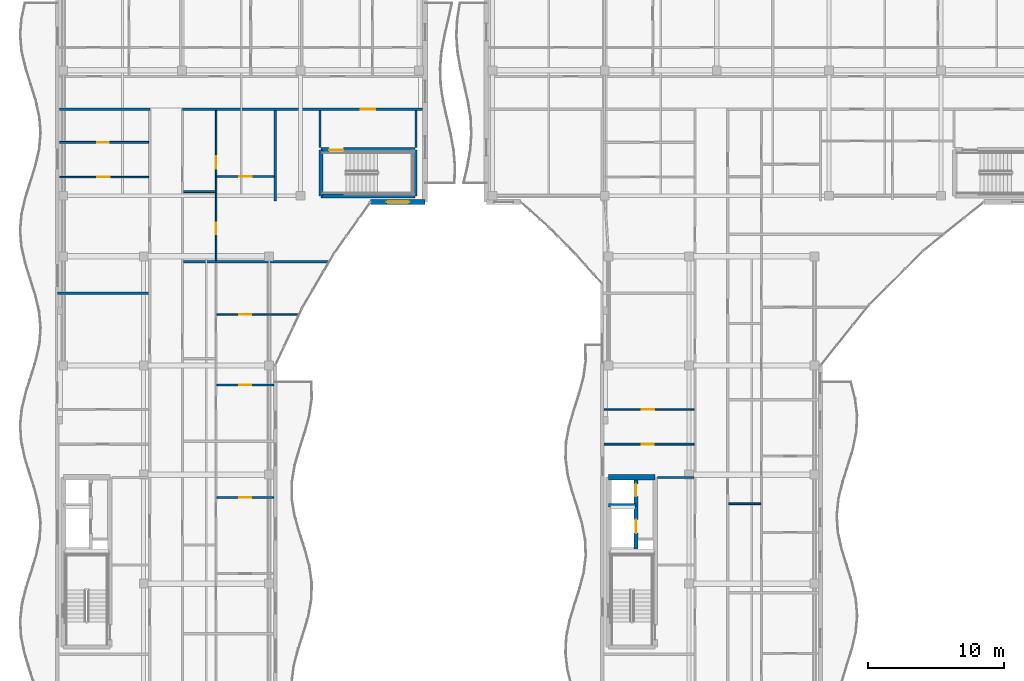
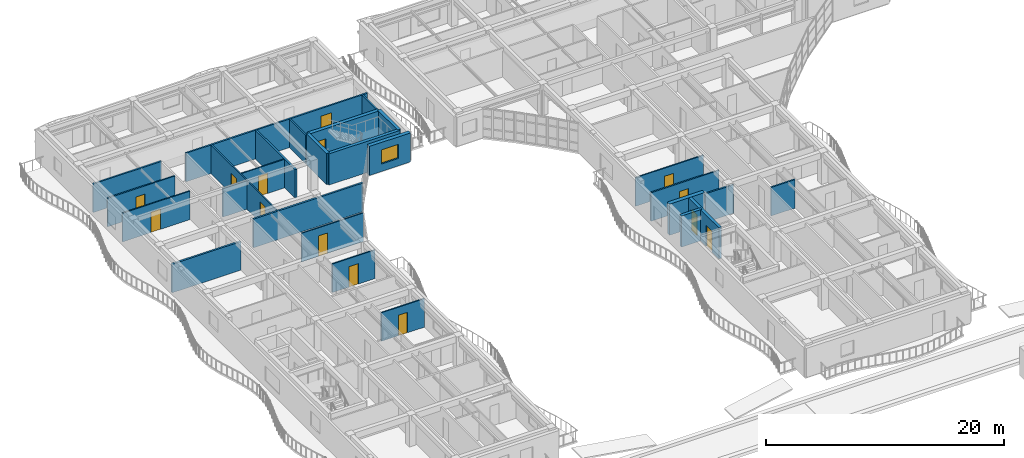
# One storey, part 87 of 128: 27 walls, 14 doors, 1 window, 15 openings.
"""IFC4 building model written with IfcOpenShell, lengths in metres."""

from ifc_helpers import new_model, si_unit, direction, frame, frame_2d, origin, place, context, subcontext, project, spatial, rectangle, extrude, material, layer, layer_set, type_object, element, fill, save


model = new_model("IFC4")

# Units and contexts
model_context = context("Model", 3, precision=1e-05, world=origin(), true_north=direction((0.0, 1.0)))
body_context = subcontext(model_context, "Body", "Model", "MODEL_VIEW")
ifc_project = project(units=[si_unit("LENGTHUNIT", "METRE"), si_unit("AREAUNIT", "SQUARE_METRE"), si_unit("VOLUMEUNIT", "CUBIC_METRE"), si_unit("PLANEANGLEUNIT", "RADIAN"), si_unit("MASSUNIT", "GRAM", prefix="KILO")], contexts=[model_context])

# Site, building, storey
site_placement = place(None, origin())
site = spatial("IfcSite", under=ifc_project, at=site_placement, CompositionType="ELEMENT")
building_placement = place(site_placement, origin())
building = spatial("IfcBuilding", under=site, at=building_placement, Name="Keldmere Railside Commons", CompositionType="ELEMENT")
storey_placement = place(building_placement, frame((0.0, 0.0, 4.159912109375)))
storey = spatial("IfcBuildingStorey", under=building, at=storey_placement, Name="L01", CompositionType="ELEMENT", Elevation=4.159912109375)

# Walls
ifc_material_1 = material(Name="Acoustic Gypsum Board Partition", Category="gypsum")
ifc_layer_1 = layer(ifc_material_1, 0.179931640625, Name="Acoustic Demising Partition 180")
ifc_layer_set_1 = layer_set([ifc_layer_1], Name="Acoustic Gypsum Board Partition")
wall_type_1 = type_object("IfcWallType", Name="Acoustic Demising Partition 180", PredefinedType="PARTITIONING", material=ifc_layer_set_1)
wall_1_placement = place(storey_placement, frame((24.0, 100.050048828125, 0.0), z_axis=(0.0, 0.0, 1.0), x_axis=(0.0, 1.0, 0.0)))
element("IfcWall", 1, at=wall_1_placement, inside=storey, type_object=wall_type_1, Name="IW-1 IW-L01-0207", PredefinedType="PARTITIONING", context=body_context, shape_type="SweptSolid", body=[
    extrude(rectangle(XDim=6.669921875, YDim=0.179931640625, at=frame_2d((3.3349609375, 0.0))), origin(), (0.0, 0.0, 1.0), 2.93505859375),
])
wall_2_placement = place(storey_placement, frame((17.280029296875, 95.60009765625, 0.0), z_axis=(0.0, 0.0, 1.0), x_axis=(1.0, 0.0, 0.0)))
element("IfcWall", 2, at=wall_2_placement, inside=storey, type_object=wall_type_1, Name="IW-1 IW-L01-0212", PredefinedType="PARTITIONING", context=body_context, shape_type="SweptSolid", body=[
    extrude(rectangle(XDim=10.62744140625, YDim=0.179931640625, at=frame_2d((5.313720703125, 0.0))), origin(), (0.0, 0.0, 1.0), 2.93505859375),
])
wall_3_placement = place(storey_placement, frame((8.0400390625, 93.300048828125, 0.0), z_axis=(0.0, 0.0, 1.0), x_axis=(1.0, 0.0, 0.0)))
element("IfcWall", 3, at=wall_3_placement, inside=storey, type_object=wall_type_1, Name="IW-1 IW-L01-0238", PredefinedType="PARTITIONING", context=body_context, shape_type="SweptSolid", body=[
    extrude(rectangle(XDim=6.679931640625, YDim=0.179931640625, at=frame_2d((3.33984375, 0.0))), origin(), (0.0, 0.0, 1.0), 2.93505859375),
])

# Wall, opening, door
ifc_layer_2 = layer(ifc_material_1, 0.1201171875, Name="Apartment Interior Partition 120")
ifc_layer_set_2 = layer_set([ifc_layer_2], Name="Acoustic Gypsum Board Partition")
wall_type_2 = type_object("IfcWallType", Name="Apartment Interior Partition 120", PredefinedType="PARTITIONING", material=ifc_layer_set_2)
wall_4_placement = place(storey_placement, frame((19.719970703125, 78.320068359375, 0.0), z_axis=(0.0, 0.0, 1.0), x_axis=(1.0, 0.0, 0.0)))
wall_4 = element("IfcWall", 4, at=wall_4_placement, inside=storey, type_object=wall_type_2, Name="IW-4 IW-L01-0219", PredefinedType="PARTITIONING", context=body_context, shape_type="SweptSolid", body=[
    extrude(rectangle(XDim=4.159912109375, YDim=0.1201171875, at=frame_2d((2.080078125, 0.0))), origin(), (0.0, 0.0, 1.0), 2.93505859375),
])
opening_1_placement = place(wall_4_placement, frame((1.639892578125, 0.0, 0.0)))
opening_1 = element("IfcOpeningElement", 5, at=opening_1_placement, cuts=wall_4, Name="Opening ID-02", PredefinedType="OPENING", context=body_context, shape_type="SweptSolid", body=[
    extrude(rectangle(XDim=0.8798828125, YDim=2.10009765625, at=frame_2d((0.43994140625, 1.050048828125))), frame((0.0, 0.070068359375, 0.0), z_axis=(0.0, -1.0, 0.0), x_axis=(1.0, 0.0, 0.0)), (0.0, 0.0, 1.0), 0.14013671875),
])
ifc_material_2 = material(Name="Engineered Oak Timber", Category="wood")
door_type_1 = type_object("IfcDoorType", Name="Secondary Bedroom Door 880x2100", OperationType="NOTDEFINED", PredefinedType="DOOR", material=ifc_material_2)
door_1_placement = place(opening_1_placement, origin())
door_1 = element("IfcDoor", 6, at=door_1_placement, inside=storey, type_object=door_type_1, Name="ID-02 IDR-L01-0125", OperationType="SINGLE_SWING_LEFT", OverallHeight=2.10009765625, OverallWidth=0.8798828125, PredefinedType="DOOR", context=body_context, shape_type="SweptSolid", body=[
    extrude(rectangle(XDim=0.8798828125, YDim=2.10009765625, at=frame_2d((0.43994140625, 1.050048828125))), frame((0.0, 0.02490234375, 0.0), z_axis=(0.0, -1.0, 0.0), x_axis=(1.0, 0.0, 0.0)), (0.0, 0.0, 1.0), 0.050048828125),
])
fill(opening_1, door_1)

wall_5_placement = place(storey_placement, frame((19.719970703125, 86.570068359375, 0.0), z_axis=(0.0, 0.0, 1.0), x_axis=(1.0, 0.0, 0.0)))
wall_5 = element("IfcWall", 7, at=wall_5_placement, inside=storey, type_object=wall_type_2, Name="IW-4 IW-L01-0222", PredefinedType="PARTITIONING", context=body_context, shape_type="SweptSolid", body=[
    extrude(rectangle(XDim=4.159912109375, YDim=0.1201171875, at=frame_2d((2.080078125, 0.0))), origin(), (0.0, 0.0, 1.0), 2.93505859375),
])
opening_2_placement = place(wall_5_placement, frame((1.6298828125, 0.0, 0.0)))
opening_2 = element("IfcOpeningElement", 8, at=opening_2_placement, cuts=wall_5, Name="Opening ID-01", PredefinedType="OPENING", context=body_context, shape_type="SweptSolid", body=[
    extrude(rectangle(XDim=0.89990234375, YDim=2.10009765625, at=frame_2d((0.449951171875, 1.050048828125))), frame((0.0, 0.070068359375, 0.0), z_axis=(0.0, -1.0, 0.0), x_axis=(1.0, 0.0, 0.0)), (0.0, 0.0, 1.0), 0.14013671875),
])
door_type_2 = type_object("IfcDoorType", Name="Primary Bedroom Door 900x2100", OperationType="NOTDEFINED", PredefinedType="DOOR", material=ifc_material_2)
door_2_placement = place(opening_2_placement, origin())
door_2 = element("IfcDoor", 9, at=door_2_placement, inside=storey, type_object=door_type_2, Name="ID-01 IDR-L01-0129", OperationType="SINGLE_SWING_LEFT", OverallHeight=2.10009765625, OverallWidth=0.89990234375, PredefinedType="DOOR", context=body_context, shape_type="SweptSolid", body=[
    extrude(rectangle(XDim=0.89990234375, YDim=2.10009765625, at=frame_2d((0.449951171875, 1.050048828125))), frame((0.0, 0.02490234375, 0.0), z_axis=(0.0, -1.0, 0.0), x_axis=(1.0, 0.0, 0.0)), (0.0, 0.0, 1.0), 0.050048828125),
])
fill(opening_2, door_2)

wall_6_placement = place(storey_placement, frame((19.719970703125, 91.75, 0.0), z_axis=(0.0, 0.0, 1.0), x_axis=(1.0, 0.0, 0.0)))
wall_6 = element("IfcWall", 10, at=wall_6_placement, inside=storey, type_object=wall_type_2, Name="IW-4 IW-L01-0223", PredefinedType="PARTITIONING", context=body_context, shape_type="SweptSolid", body=[
    extrude(rectangle(XDim=5.995361328125, YDim=0.1201171875, at=frame_2d((2.99755859375, 0.0))), origin(), (0.0, 0.0, 1.0), 2.93505859375),
])
opening_3_placement = place(wall_6_placement, frame((1.639892578125, 0.0, 0.0)))
opening_3 = element("IfcOpeningElement", 11, at=opening_3_placement, cuts=wall_6, Name="Opening ID-02", PredefinedType="OPENING", context=body_context, shape_type="SweptSolid", body=[
    extrude(rectangle(XDim=0.8798828125, YDim=2.10009765625, at=frame_2d((0.43994140625, 1.050048828125))), frame((0.0, 0.070068359375, 0.0), z_axis=(0.0, -1.0, 0.0), x_axis=(1.0, 0.0, 0.0)), (0.0, 0.0, 1.0), 0.14013671875),
])
door_3_placement = place(opening_3_placement, origin())
door_3 = element("IfcDoor", 12, at=door_3_placement, inside=storey, type_object=door_type_1, Name="ID-02 IDR-L01-0130", OperationType="SINGLE_SWING_RIGHT", OverallHeight=2.10009765625, OverallWidth=0.8798828125, PredefinedType="DOOR", context=body_context, shape_type="SweptSolid", body=[
    extrude(rectangle(XDim=0.8798828125, YDim=2.10009765625, at=frame_2d((0.43994140625, 1.050048828125))), frame((0.0, 0.02490234375, 0.0), z_axis=(0.0, -1.0, 0.0), x_axis=(1.0, 0.0, 0.0)), (0.0, 0.0, 1.0), 0.050048828125),
])
fill(opening_3, door_3)

# Wall, openings, doors
wall_7_placement = place(storey_placement, frame((19.659912109375, 95.68994140625, 0.0), z_axis=(0.0, 0.0, 1.0), x_axis=(0.0, 1.0, 0.0)))
wall_7 = element("IfcWall", 13, at=wall_7_placement, inside=storey, type_object=wall_type_2, Name="IW-4 IW-L01-0224", PredefinedType="PARTITIONING", context=body_context, shape_type="SweptSolid", body=[
    extrude(rectangle(XDim=11.030029296875, YDim=0.1201171875, at=frame_2d((5.51513671875, 0.0))), origin(), (0.0, 0.0, 1.0), 2.93505859375),
])
opening_4_placement = place(wall_7_placement, frame((1.926513671875, 0.0, 0.0)))
opening_4 = element("IfcOpeningElement", 14, at=opening_4_placement, cuts=wall_7, Name="Opening ID-04", PredefinedType="OPENING", context=body_context, shape_type="SweptSolid", body=[
    extrude(rectangle(XDim=0.860107421875, YDim=2.10009765625, at=frame_2d((0.43017578125, 1.050048828125))), frame((0.0, 0.070068359375, 0.0), z_axis=(0.0, -1.0, 0.0), x_axis=(1.0, 0.0, 0.0)), (0.0, 0.0, 1.0), 0.14013671875),
])
opening_5_placement = place(wall_7_placement, frame((6.73876953125, 0.0, 0.0)))
opening_5 = element("IfcOpeningElement", 15, at=opening_5_placement, cuts=wall_7, Name="Opening ID-03", PredefinedType="OPENING", context=body_context, shape_type="SweptSolid", body=[
    extrude(rectangle(XDim=0.919921875, YDim=2.10009765625, at=frame_2d((0.4599609375, 1.050048828125))), frame((0.0, 0.070068359375, 0.0), z_axis=(0.0, -1.0, 0.0), x_axis=(1.0, 0.0, 0.0)), (0.0, 0.0, 1.0), 0.14013671875),
])
door_type_3 = type_object("IfcDoorType", Name="Apartment Bathroom Door 860x2100", OperationType="NOTDEFINED", PredefinedType="DOOR", material=ifc_material_2)
door_4_placement = place(opening_4_placement, origin())
door_4 = element("IfcDoor", 16, at=door_4_placement, inside=storey, type_object=door_type_3, Name="ID-04 IDR-L01-0131", OperationType="SINGLE_SWING_LEFT", OverallHeight=2.10009765625, OverallWidth=0.860107421875, PredefinedType="DOOR", context=body_context, shape_type="SweptSolid", body=[
    extrude(rectangle(XDim=0.860107421875, YDim=2.10009765625, at=frame_2d((0.43017578125, 1.050048828125))), frame((0.0, 0.02490234375, 0.0), z_axis=(0.0, -1.0, 0.0), x_axis=(1.0, 0.0, 0.0)), (0.0, 0.0, 1.0), 0.050048828125),
])
fill(opening_4, door_4)
door_type_4 = type_object("IfcDoorType", Name="Kitchen Pocket-Frame Swing Door 920x2100", OperationType="NOTDEFINED", PredefinedType="DOOR", material=ifc_material_2)
door_5_placement = place(opening_5_placement, origin())
door_5 = element("IfcDoor", 17, at=door_5_placement, inside=storey, type_object=door_type_4, Name="ID-03 IDR-L01-0132", OperationType="SINGLE_SWING_RIGHT", OverallHeight=2.10009765625, OverallWidth=0.919921875, PredefinedType="DOOR", context=body_context, shape_type="SweptSolid", body=[
    extrude(rectangle(XDim=0.919921875, YDim=2.10009765625, at=frame_2d((0.4599609375, 1.050048828125))), frame((0.0, 0.02490234375, 0.0), z_axis=(0.0, -1.0, 0.0), x_axis=(1.0, 0.0, 0.0)), (0.0, 0.0, 1.0), 0.050048828125),
])
fill(opening_5, door_5)

# Wall, opening, door
wall_8_placement = place(storey_placement, frame((19.719970703125, 101.8701171875, 0.0), z_axis=(0.0, 0.0, 1.0), x_axis=(1.0, 0.0, 0.0)))
wall_8 = element("IfcWall", 18, at=wall_8_placement, inside=storey, type_object=wall_type_2, Name="IW-4 IW-L01-0226", PredefinedType="PARTITIONING", context=body_context, shape_type="SweptSolid", body=[
    extrude(rectangle(XDim=4.18994140625, YDim=0.1201171875, at=frame_2d((2.094970703125, 0.0))), origin(), (0.0, 0.0, 1.0), 2.93505859375),
])
opening_6_placement = place(wall_8_placement, frame((1.64501953125, 0.0, 0.0)))
opening_6 = element("IfcOpeningElement", 19, at=opening_6_placement, cuts=wall_8, Name="Opening ID-01", PredefinedType="OPENING", context=body_context, shape_type="SweptSolid", body=[
    extrude(rectangle(XDim=0.89990234375, YDim=2.10009765625, at=frame_2d((0.449951171875, 1.050048828125))), frame((0.0, 0.070068359375, 0.0), z_axis=(0.0, -1.0, 0.0), x_axis=(1.0, 0.0, 0.0)), (0.0, 0.0, 1.0), 0.14013671875),
])
door_6_placement = place(opening_6_placement, origin())
door_6 = element("IfcDoor", 20, at=door_6_placement, inside=storey, type_object=door_type_2, Name="ID-01 IDR-L01-0134", OperationType="SINGLE_SWING_RIGHT", OverallHeight=2.10009765625, OverallWidth=0.89990234375, PredefinedType="DOOR", context=body_context, shape_type="SweptSolid", body=[
    extrude(rectangle(XDim=0.89990234375, YDim=2.10009765625, at=frame_2d((0.449951171875, 1.050048828125))), frame((0.0, 0.02490234375, 0.0), z_axis=(0.0, -1.0, 0.0), x_axis=(1.0, 0.0, 0.0)), (0.0, 0.0, 1.0), 0.050048828125),
])
fill(opening_6, door_6)

wall_9_placement = place(storey_placement, frame((8.179931640625, 101.820068359375, 0.0), z_axis=(0.0, 0.0, 1.0), x_axis=(1.0, 0.0, 0.0)))
wall_9 = element("IfcWall", 21, at=wall_9_placement, inside=storey, type_object=wall_type_2, Name="IW-4 IW-L01-0241", PredefinedType="PARTITIONING", context=body_context, shape_type="SweptSolid", body=[
    extrude(rectangle(XDim=6.5400390625, YDim=0.1201171875, at=frame_2d((3.27001953125, 0.0))), origin(), (0.0, 0.0, 1.0), 2.93505859375),
])
opening_7_placement = place(wall_9_placement, frame((2.746826171875, 0.0, 0.0)))
opening_7 = element("IfcOpeningElement", 22, at=opening_7_placement, cuts=wall_9, Name="Opening ID-03", PredefinedType="OPENING", context=body_context, shape_type="SweptSolid", body=[
    extrude(rectangle(XDim=0.919921875, YDim=2.10009765625, at=frame_2d((0.4599609375, 1.050048828125))), frame((0.0, 0.070068359375, 0.0), z_axis=(0.0, -1.0, 0.0), x_axis=(1.0, 0.0, 0.0)), (0.0, 0.0, 1.0), 0.14013671875),
])
door_7_placement = place(opening_7_placement, origin())
door_7 = element("IfcDoor", 23, at=door_7_placement, inside=storey, type_object=door_type_4, Name="ID-03 IDR-L01-0155", OperationType="SINGLE_SWING_LEFT", OverallHeight=2.10009765625, OverallWidth=0.919921875, PredefinedType="DOOR", context=body_context, shape_type="SweptSolid", body=[
    extrude(rectangle(XDim=0.919921875, YDim=2.10009765625, at=frame_2d((0.4599609375, 1.050048828125))), frame((0.0, 0.02490234375, 0.0), z_axis=(0.0, -1.0, 0.0), x_axis=(1.0, 0.0, 0.0)), (0.0, 0.0, 1.0), 0.050048828125),
])
fill(opening_7, door_7)

wall_10_placement = place(storey_placement, frame((48.1298828125, 84.780029296875, 0.0), z_axis=(0.0, 0.0, 1.0), x_axis=(1.0, 0.0, 0.0)))
wall_10 = element("IfcWall", 24, at=wall_10_placement, inside=storey, type_object=wall_type_2, Name="IW-4 IW-L01-0544", PredefinedType="PARTITIONING", context=body_context, shape_type="SweptSolid", body=[
    extrude(rectangle(XDim=6.590087890625, YDim=0.1201171875, at=frame_2d((3.294921875, 0.0))), origin(), (0.0, 0.0, 1.0), 2.93505859375),
])
opening_8_placement = place(wall_10_placement, frame((2.767822265625, 0.0, 0.0)))
opening_8 = element("IfcOpeningElement", 25, at=opening_8_placement, cuts=wall_10, Name="Opening ID-03", PredefinedType="OPENING", context=body_context, shape_type="SweptSolid", body=[
    extrude(rectangle(XDim=0.919921875, YDim=2.10009765625, at=frame_2d((0.4599609375, 1.050048828125))), frame((0.0, 0.070068359375, 0.0), z_axis=(0.0, -1.0, 0.0), x_axis=(1.0, 0.0, 0.0)), (0.0, 0.0, 1.0), 0.14013671875),
])
door_8_placement = place(opening_8_placement, origin())
door_8 = element("IfcDoor", 26, at=door_8_placement, inside=storey, type_object=door_type_4, Name="ID-03 IDR-L01-0440", OperationType="SINGLE_SWING_RIGHT", OverallHeight=2.10009765625, OverallWidth=0.919921875, PredefinedType="DOOR", context=body_context, shape_type="SweptSolid", body=[
    extrude(rectangle(XDim=0.919921875, YDim=2.10009765625, at=frame_2d((0.4599609375, 1.050048828125))), frame((0.0, 0.02490234375, 0.0), z_axis=(0.0, -1.0, 0.0), x_axis=(1.0, 0.0, 0.0)), (0.0, 0.0, 1.0), 0.050048828125),
])
fill(opening_8, door_8)

# Wall
ifc_material_3 = material(Name="Concrete H-35 (C35/45)", Category="concrete")
ifc_layer_3 = layer(ifc_material_3, 0.280029296875, Name="Core Shear Wall 280")
ifc_layer_set_3 = layer_set([ifc_layer_3], Name="Concrete H-35 (C35/45)")
wall_type_3 = type_object("IfcWallType", Name="Core Shear Wall 280", PredefinedType="SHEAR", material=ifc_layer_set_3)
wall_11_placement = place(storey_placement, frame((48.4599609375, 77.75, 0.0), z_axis=(0.0, 0.0, 1.0), x_axis=(1.0, 0.0, 0.0)))
element("IfcWall", 27, at=wall_11_placement, inside=storey, type_object=wall_type_3, Name="CSW-2 CORECL-L01-0215", PredefinedType="SHEAR", context=body_context, shape_type="SweptSolid", body=[
    extrude(rectangle(XDim=2.0, YDim=0.280029296875, at=frame_2d((1.0, 0.0))), origin(), (0.0, 0.0, 1.0), 3.2001953125),
])

# Wall, openings, doors
wall_12_placement = place(storey_placement, frame((50.4599609375, 74.550048828125, 0.0), z_axis=(0.0, 0.0, 1.0), x_axis=(0.0, 1.0, 0.0)))
wall_12 = element("IfcWall", 28, at=wall_12_placement, inside=storey, type_object=wall_type_3, Name="CSW-2 LSHC-L01-0216", PredefinedType="SHEAR", context=body_context, shape_type="SweptSolid", body=[
    extrude(rectangle(XDim=5.25, YDim=0.280029296875, at=frame_2d((2.625, 0.0))), origin(), (0.0, 0.0, 1.0), 3.2001953125),
])
opening_9_placement = place(wall_12_placement, frame((1.14990234375, 0.0, 0.0)))
opening_9 = element("IfcOpeningElement", 29, at=opening_9_placement, cuts=wall_12, Name="Opening LD-1", PredefinedType="OPENING", context=body_context, shape_type="SweptSolid", body=[
    extrude(rectangle(XDim=1.0, YDim=2.14990234375, at=frame_2d((0.5, 1.074951171875))), frame((0.0, 0.14990234375, 0.0), z_axis=(0.0, -1.0, 0.0), x_axis=(1.0, 0.0, 0.0)), (0.0, 0.0, 1.0), 0.300048828125),
])
opening_10_placement = place(wall_12_placement, frame((3.85009765625, 0.0, 0.0)))
opening_10 = element("IfcOpeningElement", 30, at=opening_10_placement, cuts=wall_12, Name="Opening LD-2", PredefinedType="OPENING", context=body_context, shape_type="SweptSolid", body=[
    extrude(rectangle(XDim=0.89990234375, YDim=2.14990234375, at=frame_2d((0.449951171875, 1.074951171875))), frame((0.0, 0.14990234375, 0.0), z_axis=(0.0, -1.0, 0.0), x_axis=(1.0, 0.0, 0.0)), (0.0, 0.0, 1.0), 0.300048828125),
])
ifc_material_4 = material(Name="Steel F-24 (S235)", Category="steel")
door_type_5 = type_object("IfcDoorType", Name="Firefighting Stretcher Lift Landing Door 1000x2150", OperationType="SLIDING_TO_LEFT", PredefinedType="DOOR", material=ifc_material_4)
door_9_placement = place(opening_9_placement, origin())
door_9 = element("IfcDoor", 31, at=door_9_placement, inside=storey, type_object=door_type_5, Name="LD-1 C L01", OperationType="SLIDING_TO_LEFT", OverallHeight=2.14990234375, OverallWidth=1.0, PredefinedType="DOOR", context=body_context, shape_type="SweptSolid", body=[
    extrude(rectangle(XDim=1.0, YDim=2.14990234375, at=frame_2d((0.5, 1.074951171875))), frame((0.0, 0.02490234375, 0.0), z_axis=(0.0, -1.0, 0.0), x_axis=(1.0, 0.0, 0.0)), (0.0, 0.0, 1.0), 0.050048828125),
])
fill(opening_9, door_9)
door_type_6 = type_object("IfcDoorType", Name="Passenger Lift Sliding Landing Door 900x2150", OperationType="SLIDING_TO_RIGHT", PredefinedType="DOOR", material=ifc_material_4)
door_10_placement = place(opening_10_placement, origin())
door_10 = element("IfcDoor", 32, at=door_10_placement, inside=storey, type_object=door_type_6, Name="LD-2 C L01", OperationType="SLIDING_TO_RIGHT", OverallHeight=2.14990234375, OverallWidth=0.89990234375, PredefinedType="DOOR", context=body_context, shape_type="SweptSolid", body=[
    extrude(rectangle(XDim=0.89990234375, YDim=2.14990234375, at=frame_2d((0.449951171875, 1.074951171875))), frame((0.0, 0.02490234375, 0.0), z_axis=(0.0, -1.0, 0.0), x_axis=(1.0, 0.0, 0.0)), (0.0, 0.0, 1.0), 0.050048828125),
])
fill(opening_10, door_10)

# Walls
ifc_material_5 = material(Name="Concrete H-40 (C40/50)", Category="concrete")
ifc_layer_4 = layer(ifc_material_5, 0.3798828125, Name="Core Shear Wall 380")
ifc_layer_set_4 = layer_set([ifc_layer_4], Name="Concrete H-40 (C40/50)")
wall_type_4 = type_object("IfcWallType", Name="Core Shear Wall 380", PredefinedType="SHEAR", material=ifc_layer_set_4)
wall_13_placement = place(storey_placement, frame((48.4599609375, 79.800048828125, 0.0), z_axis=(0.0, 0.0, 1.0), x_axis=(1.0, 0.0, 0.0)))
element("IfcWall", 33, at=wall_13_placement, inside=storey, type_object=wall_type_4, Name="CW-CORE CORECN-L01-0211", PredefinedType="SHEAR", context=body_context, shape_type="SweptSolid", body=[
    extrude(rectangle(XDim=3.41015625, YDim=0.3798828125, at=frame_2d((1.705078125, 0.0))), origin(), (0.0, 0.0, 1.0), 3.2001953125),
])
ifc_layer_5 = layer(ifc_material_1, 0.159912109375, Name="Corridor Fire Partition 160")
ifc_layer_set_5 = layer_set([ifc_layer_5], Name="Acoustic Gypsum Board Partition")
wall_type_5 = type_object("IfcWallType", Name="Corridor Fire Partition 160", PredefinedType="PARTITIONING", material=ifc_layer_set_5)
wall_14_placement = place(storey_placement, frame((8.179931640625, 106.800048828125, 0.0), z_axis=(0.0, 0.0, 1.0), x_axis=(1.0, 0.0, 0.0)))
element("IfcWall", 34, at=wall_14_placement, inside=storey, type_object=wall_type_5, Name="IW-2 IW-L01-0204", PredefinedType="PARTITIONING", context=body_context, shape_type="SweptSolid", body=[
    extrude(rectangle(XDim=6.6201171875, YDim=0.159912109375, at=frame_2d((3.31005859375, 0.0))), origin(), (0.0, 0.0, 1.0), 2.93505859375),
])

# Wall, opening, door
wall_15_placement = place(storey_placement, frame((17.199951171875, 106.800048828125, 0.0), z_axis=(0.0, 0.0, 1.0), x_axis=(1.0, 0.0, 0.0)))
wall_15 = element("IfcWall", 35, at=wall_15_placement, inside=storey, type_object=wall_type_5, Name="IW-2 IW-L01-0205", PredefinedType="PARTITIONING", context=body_context, shape_type="SweptSolid", body=[
    extrude(rectangle(XDim=17.6201171875, YDim=0.159912109375, at=frame_2d((8.81005859375, 0.0))), origin(), (0.0, 0.0, 1.0), 2.93505859375),
])
opening_11_placement = place(wall_15_placement, frame((13.074951171875, 0.0, 0.0)))
opening_11 = element("IfcOpeningElement", 36, at=opening_11_placement, cuts=wall_15, Name="Opening FD-1", PredefinedType="OPENING", context=body_context, shape_type="SweptSolid", body=[
    extrude(rectangle(XDim=1.050048828125, YDim=2.14990234375, at=frame_2d((0.52490234375, 1.074951171875))), frame((0.0, 0.08984375, 0.0), z_axis=(0.0, -1.0, 0.0), x_axis=(1.0, 0.0, 0.0)), (0.0, 0.0, 1.0), 0.179931640625),
])
door_type_7 = type_object("IfcDoorType", Name="Stair Core Fire Door 1050x2150", OperationType="NOTDEFINED", PredefinedType="DOOR", material=ifc_material_4)
door_11_placement = place(opening_11_placement, origin())
door_11 = element("IfcDoor", 37, at=door_11_placement, inside=storey, type_object=door_type_7, Name="FD-1 IDR-L01-0114", OperationType="SINGLE_SWING_RIGHT", OverallHeight=2.14990234375, OverallWidth=1.050048828125, PredefinedType="DOOR", context=body_context, shape_type="SweptSolid", body=[
    extrude(rectangle(XDim=1.050048828125, YDim=2.14990234375, at=frame_2d((0.52490234375, 1.074951171875))), frame((0.0, 0.02490234375, 0.0), z_axis=(0.0, -1.0, 0.0), x_axis=(1.0, 0.0, 0.0)), (0.0, 0.0, 1.0), 0.050048828125),
])
fill(opening_11, door_11)

# Wall, opening, window
ifc_layer_6 = layer(ifc_material_3, 0.360107421875, Name="Exterior Shear Wall 360")
ifc_layer_set_6 = layer_set([ifc_layer_6], Name="Concrete H-35 (C35/45)")
wall_type_6 = type_object("IfcWallType", Name="Exterior Shear Wall 360", PredefinedType="SHEAR", material=ifc_layer_set_6)
wall_16_placement = place(storey_placement, frame((35.0, 100.0, 0.0), z_axis=(0.0, 0.0, 1.0), x_axis=(-1.0, 0.0, 0.0)))
wall_16 = element("IfcWall", 38, at=wall_16_placement, inside=storey, type_object=wall_type_6, Name="ESW-1 EXTD-L01-0131", PredefinedType="SHEAR", context=body_context, shape_type="SweptSolid", body=[
    extrude(rectangle(XDim=4.0, YDim=0.360107421875, at=frame_2d((2.0, 0.0))), origin(), (0.0, 0.0, 1.0), 2.97998046875),
])
opening_12_placement = place(wall_16_placement, frame((1.175048828125, 0.0, 0.77001953125)))
opening_12 = element("IfcOpeningElement", 39, at=opening_12_placement, cuts=wall_16, Name="Opening WN-03", PredefinedType="OPENING", context=body_context, shape_type="SweptSolid", body=[
    extrude(rectangle(XDim=1.64990234375, YDim=1.449951171875, at=frame_2d((0.824951171875, 0.72509765625))), frame((0.0, 0.18994140625, 0.0), z_axis=(0.0, -1.0, 0.0), x_axis=(1.0, 0.0, 0.0)), (0.0, 0.0, 1.0), 0.380126953125),
])
ifc_material_6 = material(Name="Low-E Insulated Double Glazing", Category="glass")
window_type = type_object("IfcWindowType", Name="Living Room East Shaded Window 1650x1450", PartitioningType="SINGLE_PANEL", PredefinedType="WINDOW", material=ifc_material_6)
window_placement = place(opening_12_placement, origin())
window = element("IfcWindow", 40, at=window_placement, inside=storey, type_object=window_type, Name="WN-03 WIN-L01-0034", OverallHeight=1.449951171875, OverallWidth=1.64990234375, PartitioningType="SINGLE_PANEL", PredefinedType="WINDOW", context=body_context, shape_type="SweptSolid", body=[
    extrude(rectangle(XDim=1.64990234375, YDim=1.449951171875, at=frame_2d((0.824951171875, 0.72509765625))), frame((0.0, 0.030029296875, 0.0), z_axis=(0.0, -1.0, 0.0), x_axis=(1.0, 0.0, 0.0)), (0.0, 0.0, 1.0), 0.06005859375),
])
fill(opening_12, window)

# Walls
ifc_layer_7 = layer(ifc_material_3, 0.300048828125, Name="Interior Shear Wall 300")
ifc_layer_set_7 = layer_set([ifc_layer_7], Name="Concrete H-35 (C35/45)")
wall_type_7 = type_object("IfcWallType", Name="Interior Shear Wall 300", PredefinedType="SHEAR", material=ifc_layer_set_7)
wall_17_placement = place(storey_placement, frame((27.35009765625, 100.449951171875, 0.0), z_axis=(0.0, 0.0, 1.0), x_axis=(1.0, 0.0, 0.0)))
element("IfcWall", 41, at=wall_17_placement, inside=storey, type_object=wall_type_7, Name="ISW-2 CORED2S-L01-0047", PredefinedType="SHEAR", context=body_context, shape_type="SweptSolid", body=[
    extrude(rectangle(XDim=6.89990234375, YDim=0.300048828125, at=frame_2d((3.449951171875, 0.0))), origin(), (0.0, 0.0, 1.0), 3.2001953125),
])
for number, where, z_axis, x_axis, name in (
    (42, (27.35009765625, 103.820068359375, 0.0), (0.0, 0.0, 1.0), (0.0, -1.0, 0.0), "ISW-2 CORED2W-L01-0049"),
    (43, (34.25, 100.449951171875, 0.0), (0.0, 0.0, 1.0), (0.0, 1.0, 0.0), "ISW-2 CORED2E-L01-0050"),
):
    element("IfcWall", number, at=place(storey_placement, frame(where, z_axis=z_axis, x_axis=x_axis)), inside=storey, type_object=wall_type_7, Name=name, PredefinedType="SHEAR", context=body_context, shape_type="SweptSolid", body=[
        extrude(rectangle(XDim=3.3701171875, YDim=0.300048828125, at=frame_2d((1.68505859375, 0.0))), origin(), (0.0, 0.0, 1.0), 3.2001953125),
    ])

# Wall, opening, door
ifc_layer_8 = layer(ifc_material_3, 0.340087890625, Name="Interior Shear Wall 340")
ifc_layer_set_8 = layer_set([ifc_layer_8], Name="Concrete H-35 (C35/45)")
wall_type_8 = type_object("IfcWallType", Name="Interior Shear Wall 340", PredefinedType="SHEAR", material=ifc_layer_set_8)
wall_18_placement = place(storey_placement, frame((34.25, 103.820068359375, 0.0), z_axis=(0.0, 0.0, 1.0), x_axis=(-1.0, 0.0, 0.0)))
wall_18 = element("IfcWall", 44, at=wall_18_placement, inside=storey, type_object=wall_type_8, Name="ISW-1 CORED2N-L01-0048", PredefinedType="SHEAR", context=body_context, shape_type="SweptSolid", body=[
    extrude(rectangle(XDim=6.89990234375, YDim=0.340087890625, at=frame_2d((3.449951171875, 0.0))), origin(), (0.0, 0.0, 1.0), 3.2001953125),
])
opening_13_placement = place(wall_18_placement, frame((5.25, 0.0, 0.0)))
opening_13 = element("IfcOpeningElement", 45, at=opening_13_placement, cuts=wall_18, Name="Opening FD-1", PredefinedType="OPENING", context=body_context, shape_type="SweptSolid", body=[
    extrude(rectangle(XDim=1.050048828125, YDim=2.14990234375, at=frame_2d((0.52490234375, 1.074951171875))), frame((0.0, 0.179931640625, 0.0), z_axis=(0.0, -1.0, 0.0), x_axis=(1.0, 0.0, 0.0)), (0.0, 0.0, 1.0), 0.360107421875),
])
door_12_placement = place(opening_13_placement, origin())
door_12 = element("IfcDoor", 46, at=door_12_placement, inside=storey, type_object=door_type_7, Name="FD-1 D2 L01", OperationType="SINGLE_SWING_RIGHT", OverallHeight=2.14990234375, OverallWidth=1.050048828125, PredefinedType="DOOR", context=body_context, shape_type="SweptSolid", body=[
    extrude(rectangle(XDim=1.050048828125, YDim=2.14990234375, at=frame_2d((0.52490234375, 1.074951171875))), frame((0.0, 0.02490234375, 0.0), z_axis=(0.0, -1.0, 0.0), x_axis=(1.0, 0.0, 0.0)), (0.0, 0.0, 1.0), 0.050048828125),
])
fill(opening_13, door_12)

# Walls
ifc_layer_9 = layer(ifc_material_1, 0.14990234375, Name="Lobby Rated Partition 150")
ifc_layer_set_9 = layer_set([ifc_layer_9], Name="Acoustic Gypsum Board Partition")
wall_type_9 = type_object("IfcWallType", Name="Lobby Rated Partition 150", PredefinedType="PARTITIONING", material=ifc_layer_set_9)
for number, where, z_axis, x_axis, name in (
    (47, (27.280029296875, 103.989990234375, 0.0), (0.0, 0.0, 1.0), (0.0, 1.0, 0.0), "IW-3 IW-L01-0208"),
    (48, (34.320068359375, 103.989990234375, 0.0), (0.0, 0.0, 1.0), (0.0, 1.0, 0.0), "IW-3 IW-L01-0209"),
):
    element("IfcWall", number, at=place(storey_placement, frame(where, z_axis=z_axis, x_axis=x_axis)), inside=storey, type_object=wall_type_9, Name=name, PredefinedType="PARTITIONING", context=body_context, shape_type="SweptSolid", body=[
        extrude(rectangle(XDim=2.72998046875, YDim=0.14990234375, at=frame_2d((1.364990234375, 0.0))), origin(), (0.0, 0.0, 1.0), 2.93505859375),
    ])
wall_19_placement = place(storey_placement, frame((52.0400390625, 79.800048828125, 0.0), z_axis=(0.0, 0.0, 1.0), x_axis=(1.0, 0.0, 0.0)))
element("IfcWall", 49, at=wall_19_placement, inside=storey, type_object=wall_type_9, Name="IW-3 IW-L01-0505", PredefinedType="PARTITIONING", context=body_context, shape_type="SweptSolid", body=[
    extrude(rectangle(XDim=2.679931640625, YDim=0.14990234375, at=frame_2d((1.33984375, 0.0))), origin(), (0.0, 0.0, 1.0), 2.93505859375),
])
ifc_layer_10 = layer(ifc_material_1, 0.139892578125, Name="Wet-Room Sanitary Partition 140")
ifc_layer_set_10 = layer_set([ifc_layer_10], Name="Acoustic Gypsum Board Partition")
wall_type_10 = type_object("IfcWallType", Name="Wet-Room Sanitary Partition 140", PredefinedType="PARTITIONING", material=ifc_layer_set_10)
wall_20_placement = place(storey_placement, frame((17.280029296875, 100.760009765625, 0.0), z_axis=(0.0, 0.0, 1.0), x_axis=(1.0, 0.0, 0.0)))
element("IfcWall", 50, at=wall_20_placement, inside=storey, type_object=wall_type_10, Name="IW-5 IW-L01-0225", PredefinedType="PARTITIONING", context=body_context, shape_type="SweptSolid", body=[
    extrude(rectangle(XDim=2.320068359375, YDim=0.139892578125, at=frame_2d((1.16015625, 0.0))), origin(), (0.0, 0.0, 1.0), 2.93505859375),
])

# Wall, opening, door
wall_21_placement = place(storey_placement, frame((8.179931640625, 104.3701171875, 0.0), z_axis=(0.0, 0.0, 1.0), x_axis=(1.0, 0.0, 0.0)))
wall_21 = element("IfcWall", 51, at=wall_21_placement, inside=storey, type_object=wall_type_10, Name="IW-5 IW-L01-0242", PredefinedType="PARTITIONING", context=body_context, shape_type="SweptSolid", body=[
    extrude(rectangle(XDim=6.5400390625, YDim=0.139892578125, at=frame_2d((3.27001953125, 0.0))), origin(), (0.0, 0.0, 1.0), 2.93505859375),
])
opening_14_placement = place(wall_21_placement, frame((2.746826171875, 0.0, 0.0)))
opening_14 = element("IfcOpeningElement", 52, at=opening_14_placement, cuts=wall_21, Name="Opening ID-04", PredefinedType="OPENING", context=body_context, shape_type="SweptSolid", body=[
    extrude(rectangle(XDim=0.860107421875, YDim=2.10009765625, at=frame_2d((0.43017578125, 1.050048828125))), frame((0.0, 0.079833984375, 0.0), z_axis=(0.0, -1.0, 0.0), x_axis=(1.0, 0.0, 0.0)), (0.0, 0.0, 1.0), 0.159912109375),
])
door_13_placement = place(opening_14_placement, origin())
door_13 = element("IfcDoor", 53, at=door_13_placement, inside=storey, type_object=door_type_3, Name="ID-04 IDR-L01-0154", OperationType="SINGLE_SWING_RIGHT", OverallHeight=2.10009765625, OverallWidth=0.860107421875, PredefinedType="DOOR", context=body_context, shape_type="SweptSolid", body=[
    extrude(rectangle(XDim=0.860107421875, YDim=2.10009765625, at=frame_2d((0.43017578125, 1.050048828125))), frame((0.0, 0.02490234375, 0.0), z_axis=(0.0, -1.0, 0.0), x_axis=(1.0, 0.0, 0.0)), (0.0, 0.0, 1.0), 0.050048828125),
])
fill(opening_14, door_13)

# Wall
wall_22_placement = place(storey_placement, frame((57.280029296875, 77.860107421875, 0.0), z_axis=(0.0, 0.0, 1.0), x_axis=(1.0, 0.0, 0.0)))
element("IfcWall", 54, at=wall_22_placement, inside=storey, type_object=wall_type_10, Name="IW-5 IW-L01-0523", PredefinedType="PARTITIONING", context=body_context, shape_type="SweptSolid", body=[
    extrude(rectangle(XDim=2.320068359375, YDim=0.139892578125, at=frame_2d((1.16015625, 0.0))), origin(), (0.0, 0.0, 1.0), 2.93505859375),
])

# Wall, opening, door
wall_23_placement = place(storey_placement, frame((48.1298828125, 82.22998046875, 0.0), z_axis=(0.0, 0.0, 1.0), x_axis=(1.0, 0.0, 0.0)))
wall_23 = element("IfcWall", 55, at=wall_23_placement, inside=storey, type_object=wall_type_10, Name="IW-5 IW-L01-0543", PredefinedType="PARTITIONING", context=body_context, shape_type="SweptSolid", body=[
    extrude(rectangle(XDim=6.590087890625, YDim=0.139892578125, at=frame_2d((3.294921875, 0.0))), origin(), (0.0, 0.0, 1.0), 2.93505859375),
])
opening_15_placement = place(wall_23_placement, frame((2.767822265625, 0.0, 0.0)))
opening_15 = element("IfcOpeningElement", 56, at=opening_15_placement, cuts=wall_23, Name="Opening ID-04", PredefinedType="OPENING", context=body_context, shape_type="SweptSolid", body=[
    extrude(rectangle(XDim=0.860107421875, YDim=2.10009765625, at=frame_2d((0.43017578125, 1.050048828125))), frame((0.0, 0.079833984375, 0.0), z_axis=(0.0, -1.0, 0.0), x_axis=(1.0, 0.0, 0.0)), (0.0, 0.0, 1.0), 0.159912109375),
])
door_14_placement = place(opening_15_placement, origin())
door_14 = element("IfcDoor", 57, at=door_14_placement, inside=storey, type_object=door_type_3, Name="ID-04 IDR-L01-0439", OperationType="SINGLE_SWING_LEFT", OverallHeight=2.10009765625, OverallWidth=0.860107421875, PredefinedType="DOOR", context=body_context, shape_type="SweptSolid", body=[
    extrude(rectangle(XDim=0.860107421875, YDim=2.10009765625, at=frame_2d((0.43017578125, 1.050048828125))), frame((0.0, 0.02490234375, 0.0), z_axis=(0.0, -1.0, 0.0), x_axis=(1.0, 0.0, 0.0)), (0.0, 0.0, 1.0), 0.050048828125),
])
fill(opening_15, door_14)

save(model, "model.ifc")
